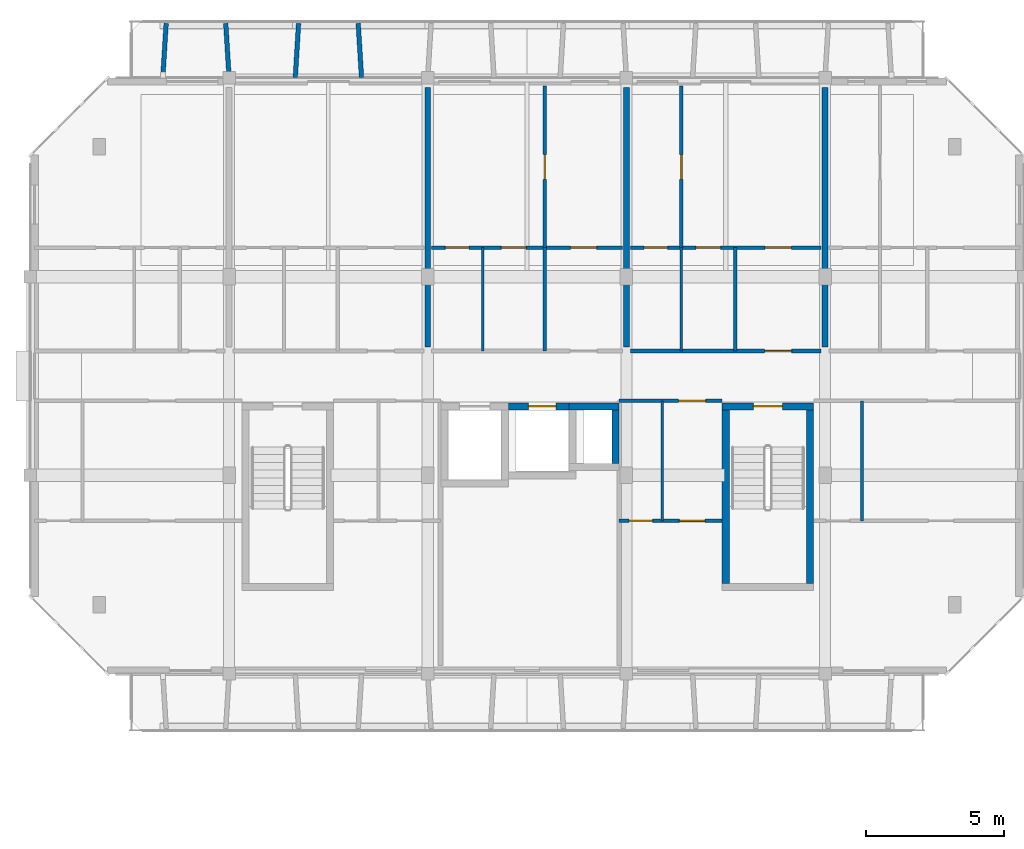
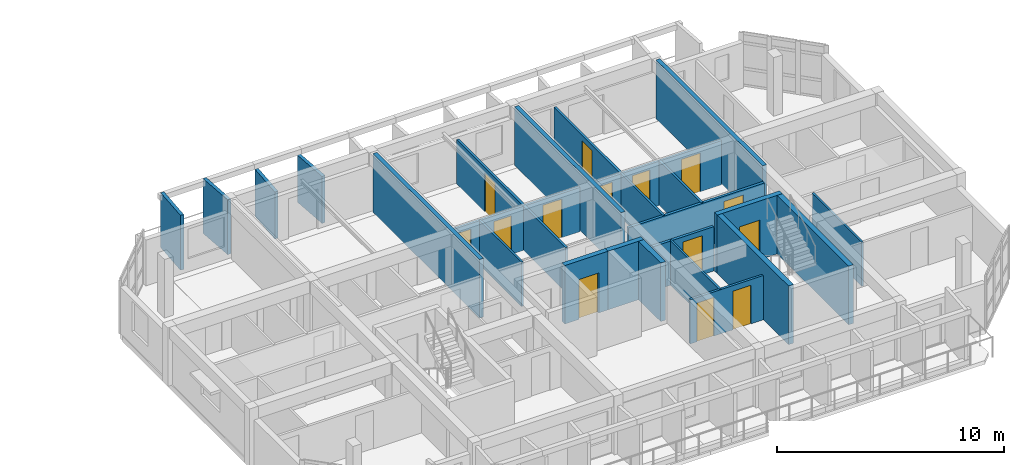
# One storey, part 20 of 30: 26 walls, 14 doors, 14 openings.
"""IFC4 building model written with IfcOpenShell, lengths in metres."""

from ifc_helpers import new_model, si_unit, direction, frame, frame_2d, origin, place, context, subcontext, project, spatial, rectangle, extrude, material, layer, layer_set, type_object, element, fill, save


model = new_model("IFC4")

# Units and contexts
model_context = context("Model", 3, precision=1e-05, world=origin(), true_north=direction((0.0, 1.0)))
body_context = subcontext(model_context, "Body", "Model", "MODEL_VIEW")
ifc_project = project(units=[si_unit("LENGTHUNIT", "METRE"), si_unit("AREAUNIT", "SQUARE_METRE"), si_unit("VOLUMEUNIT", "CUBIC_METRE"), si_unit("PLANEANGLEUNIT", "RADIAN"), si_unit("MASSUNIT", "GRAM", prefix="KILO")], contexts=[model_context])

# Site, building, storey
site_placement = place(None, origin())
site = spatial("IfcSite", under=ifc_project, at=site_placement, CompositionType="ELEMENT")
building_placement = place(site_placement, origin())
building = spatial("IfcBuilding", under=site, at=building_placement, Name="Ochrevale Crest", CompositionType="ELEMENT")
storey_placement = place(building_placement, frame((0.0, 0.0, 33.89990234375)))
storey = spatial("IfcBuildingStorey", under=building, at=storey_placement, Name="L10", CompositionType="ELEMENT", Elevation=33.89990234375)

# Wall, opening, door
ifc_material_1 = material(Name="Gypsum plasterboard", Category="gypsum")
ifc_layer_1 = layer(ifc_material_1, 0.139892578125)
ifc_layer_set_1 = layer_set([ifc_layer_1], Name="Gypsum plasterboard")
wall_type_1 = type_object("IfcWallType", Name="WL-COR-140", PredefinedType="PARTITIONING", material=ifc_layer_set_1)
wall_1_placement = place(storey_placement, frame((151.340087890625, 83.699951171875, 0.0), z_axis=(0.0, 0.0, 1.0), x_axis=(1.0, 0.0, 0.0)))
wall_1 = element("IfcWall", 1, at=wall_1_placement, inside=storey, type_object=wall_type_1, Name="Apartment D-L10-U4 corridor wall", PredefinedType="PARTITIONING", context=body_context, shape_type="SweptSolid", body=[
    extrude(rectangle(XDim=6.919921875, YDim=0.139892578125, at=frame_2d((3.4599609375, 0.0))), origin(), (0.0, 0.0, 1.0), 2.380126953125),
])
opening_1_placement = place(wall_1_placement, frame((4.8701171875, 0.0, 0.0)))
opening_1 = element("IfcOpeningElement", 2, at=opening_1_placement, cuts=wall_1, Name="Opening FD01", PredefinedType="OPENING", context=body_context, shape_type="SweptSolid", body=[
    extrude(rectangle(XDim=0.97998046875, YDim=2.10009765625, at=frame_2d((0.489990234375, 1.050048828125))), frame((0.0, 0.080078125, 0.0), z_axis=(0.0, -1.0, 0.0), x_axis=(1.0, 0.0, 0.0)), (0.0, 0.0, 1.0), 0.159912109375),
])
ifc_material_2 = material(Name="Solid-core FSC hardwood", Category="wood")
door_type_1 = type_object("IfcDoorType", Name="DR-APT-950", OperationType="NOTDEFINED", PredefinedType="DOOR", material=ifc_material_2)
door_1_placement = place(opening_1_placement, origin())
door_1 = element("IfcDoor", 3, at=door_1_placement, inside=storey, type_object=door_type_1, Name="Apartment D-L10-U4 entrance door", OperationType="SINGLE_SWING_LEFT", OverallHeight=2.10009765625, OverallWidth=0.97998046875, PredefinedType="DOOR", context=body_context, shape_type="SweptSolid", body=[
    extrude(rectangle(XDim=0.97998046875, YDim=2.10009765625, at=frame_2d((0.489990234375, 1.050048828125))), frame((0.0, 0.02490234375, 0.0), z_axis=(0.0, -1.0, 0.0), x_axis=(1.0, 0.0, 0.0)), (0.0, 0.0, 1.0), 0.050048828125),
])
fill(opening_1, door_1)

wall_2_placement = place(storey_placement, frame((150.93994140625, 81.89990234375, 0.0), z_axis=(0.0, 0.0, 1.0), x_axis=(1.0, 0.0, 0.0)))
wall_2 = element("IfcWall", 4, at=wall_2_placement, inside=storey, type_object=wall_type_1, Name="Suite D-L10-ME corridor wall", PredefinedType="PARTITIONING", context=body_context, shape_type="SweptSolid", body=[
    extrude(rectangle(XDim=3.719970703125, YDim=0.139892578125, at=frame_2d((1.85986328125, 0.0))), origin(), (0.0, 0.0, 1.0), 2.380126953125),
])
opening_2_placement = place(wall_2_placement, frame((2.151123046875, 0.0, 0.0)))
opening_2 = element("IfcOpeningElement", 5, at=opening_2_placement, cuts=wall_2, Name="Opening FD01", PredefinedType="OPENING", context=body_context, shape_type="SweptSolid", body=[
    extrude(rectangle(XDim=0.97998046875, YDim=2.10009765625, at=frame_2d((0.489990234375, 1.050048828125))), frame((0.0, 0.080078125, 0.0), z_axis=(0.0, -1.0, 0.0), x_axis=(1.0, 0.0, 0.0)), (0.0, 0.0, 1.0), 0.159912109375),
])
door_2_placement = place(opening_2_placement, origin())
door_2 = element("IfcDoor", 6, at=door_2_placement, inside=storey, type_object=door_type_1, Name="Suite D-L10-ME entrance door", OperationType="SINGLE_SWING_LEFT", OverallHeight=2.10009765625, OverallWidth=0.97998046875, PredefinedType="DOOR", context=body_context, shape_type="SweptSolid", body=[
    extrude(rectangle(XDim=0.97998046875, YDim=2.10009765625, at=frame_2d((0.489990234375, 1.050048828125))), frame((0.0, 0.02490234375, 0.0), z_axis=(0.0, -1.0, 0.0), x_axis=(1.0, 0.0, 0.0)), (0.0, 0.0, 1.0), 0.050048828125),
])
fill(opening_2, door_2)

ifc_material_3 = material(Name="Precast concrete C50/60", Category="concrete")
ifc_layer_2 = layer(ifc_material_3, 0.2548828125)
ifc_layer_set_2 = layer_set([ifc_layer_2], Name="Precast concrete C50/60")
wall_type_2 = type_object("IfcWallType", Name="WL-CORE-255", PredefinedType="SHEAR", material=ifc_layer_set_2)
wall_3_placement = place(storey_placement, frame((154.672607421875, 81.699951171875, 0.0), z_axis=(0.0, 0.0, 1.0), x_axis=(1.0, 0.0, 0.0)))
wall_3 = element("IfcWall", 7, at=wall_3_placement, inside=storey, type_object=wall_type_2, Name="Block D L10 Stair 2 precast core shear wall N", PredefinedType="SHEAR", context=body_context, shape_type="SweptSolid", body=[
    extrude(rectangle(XDim=3.304931640625, YDim=0.2548828125, at=frame_2d((1.65234375, 0.0))), origin(), (0.0, 0.0, 1.0), 3.150146484375),
])
opening_3_placement = place(wall_3_placement, frame((1.12744140625, 0.0, 0.0)))
opening_3 = element("IfcOpeningElement", 8, at=opening_3_placement, cuts=wall_3, Name="Opening FD03", PredefinedType="OPENING", context=body_context, shape_type="SweptSolid", body=[
    extrude(rectangle(XDim=1.050048828125, YDim=2.1201171875, at=frame_2d((0.52490234375, 1.06005859375))), frame((0.0, 0.137451171875, 0.0), z_axis=(0.0, -1.0, 0.0), x_axis=(1.0, 0.0, 0.0)), (0.0, 0.0, 1.0), 0.27490234375),
])
door_type_2 = type_object("IfcDoorType", Name="DR-ST-1050", OperationType="NOTDEFINED", PredefinedType="DOOR", material=ifc_material_2)
door_3_placement = place(opening_3_placement, origin())
door_3 = element("IfcDoor", 9, at=door_3_placement, inside=storey, type_object=door_type_2, Name="Block D L10 fire stair 2 door", OperationType="SINGLE_SWING_LEFT", OverallHeight=2.1201171875, OverallWidth=1.050048828125, PredefinedType="DOOR", context=body_context, shape_type="SweptSolid", body=[
    extrude(rectangle(XDim=1.050048828125, YDim=2.1201171875, at=frame_2d((0.52490234375, 1.06005859375))), frame((0.0, 0.02490234375, 0.0), z_axis=(0.0, -1.0, 0.0), x_axis=(1.0, 0.0, 0.0)), (0.0, 0.0, 1.0), 0.050048828125),
])
fill(opening_3, door_3)

# Walls
for number, where, z_axis, x_axis, name in (
    (10, (154.800048828125, 75.277587890625, 0.0), (0.0, 0.0, 1.0), (0.0, 1.0, 0.0), "Block D L10 Stair 2 precast core shear wall W"),
    (11, (157.85009765625, 75.277587890625, 0.0), (0.0, 0.0, 1.0), (0.0, 1.0, 0.0), "Block D L10 Stair 2 precast core shear wall E"),
):
    element("IfcWall", number, at=place(storey_placement, frame(where, z_axis=z_axis, x_axis=x_axis)), inside=storey, type_object=wall_type_2, Name=name, PredefinedType="SHEAR", context=body_context, shape_type="SweptSolid", body=[
        extrude(rectangle(XDim=6.294921875, YDim=0.2548828125, at=frame_2d((3.1474609375, 0.0))), origin(), (0.0, 0.0, 1.0), 3.150146484375),
    ])

# Wall, opening, door
wall_4_placement = place(storey_placement, frame((146.922607421875, 81.699951171875, 0.0), z_axis=(0.0, 0.0, 1.0), x_axis=(1.0, 0.0, 0.0)))
wall_4 = element("IfcWall", 12, at=wall_4_placement, inside=storey, type_object=wall_type_2, Name="Block D L10 Lift 2 precast shaft shear wall N", PredefinedType="SHEAR", context=body_context, shape_type="SweptSolid", body=[
    extrude(rectangle(XDim=2.454833984375, YDim=0.2548828125, at=frame_2d((1.2275390625, 0.0))), origin(), (0.0, 0.0, 1.0), 3.150146484375),
])
opening_4_placement = place(wall_4_placement, frame((0.7275390625, 0.0, 0.0)))
opening_4 = element("IfcOpeningElement", 13, at=opening_4_placement, cuts=wall_4, Name="Opening LD02", PredefinedType="OPENING", context=body_context, shape_type="SweptSolid", body=[
    extrude(rectangle(XDim=1.0, YDim=2.14990234375, at=frame_2d((0.5, 1.074951171875))), frame((0.0, 0.137451171875, 0.0), z_axis=(0.0, -1.0, 0.0), x_axis=(1.0, 0.0, 0.0)), (0.0, 0.0, 1.0), 0.27490234375),
])
door_type_3 = type_object("IfcDoorType", Name="DR-LIFT-1000", OperationType="NOTDEFINED", PredefinedType="DOOR", material=ifc_material_2)
door_4_placement = place(opening_4_placement, origin())
door_4 = element("IfcDoor", 14, at=door_4_placement, inside=storey, type_object=door_type_3, Name="Lift LP-D2 L10 sliding landing door", OperationType="SLIDING_TO_RIGHT", OverallHeight=2.14990234375, OverallWidth=1.0, PredefinedType="DOOR", context=body_context, shape_type="SweptSolid", body=[
    extrude(rectangle(XDim=1.0, YDim=2.14990234375, at=frame_2d((0.5, 1.074951171875))), frame((0.0, 0.02490234375, 0.0), z_axis=(0.0, -1.0, 0.0), x_axis=(1.0, 0.0, 0.0)), (0.0, 0.0, 1.0), 0.050048828125),
])
fill(opening_4, door_4)

# Walls
wall_5_placement = place(storey_placement, frame((149.12255859375, 81.699951171875, 0.0), z_axis=(0.0, 0.0, 1.0), x_axis=(1.0, 0.0, 0.0)))
element("IfcWall", 15, at=wall_5_placement, inside=storey, type_object=wall_type_2, Name="Block D L10 services riser shaft core wall N", PredefinedType="SHEAR", context=body_context, shape_type="SweptSolid", body=[
    extrude(rectangle(XDim=1.804931640625, YDim=0.2548828125, at=frame_2d((0.90234375, 0.0))), origin(), (0.0, 0.0, 1.0), 3.150146484375),
])
wall_6_placement = place(storey_placement, frame((150.800048828125, 79.62744140625, 0.0), z_axis=(0.0, 0.0, 1.0), x_axis=(0.0, 1.0, 0.0)))
element("IfcWall", 16, at=wall_6_placement, inside=storey, type_object=wall_type_2, Name="Block D L10 services riser shaft core wall E", PredefinedType="SHEAR", context=body_context, shape_type="SweptSolid", body=[
    extrude(rectangle(XDim=1.945068359375, YDim=0.2548828125, at=frame_2d((0.97265625, 0.0))), origin(), (0.0, 0.0, 1.0), 3.150146484375),
])
ifc_material_4 = material(Name="Precast concrete C40/50", Category="concrete")
ifc_layer_3 = layer(ifc_material_4, 0.1650390625)
ifc_layer_set_3 = layer_set([ifc_layer_3], Name="Precast concrete C40/50")
wall_type_3 = type_object("IfcWallType", Name="WL-HC-CHEEK-165", PredefinedType="ELEMENTEDWALL", material=ifc_layer_set_3)
for number, where, z_axis, x_axis, name in (
    (17, (134.39990234375, 93.6201171875, 0.0), (0.0, 0.0, 1.0), (0.061170732449, 0.998127317276, 0.0), "Block D L10 N precast honeycomb cheek 1"),
    (18, (136.800048828125, 93.6201171875, 0.0), (0.0, 0.0, 1.0), (-0.061170732449, 0.998127317276, 0.0), "Block D L10 N precast honeycomb cheek 2"),
):
    element("IfcWall", number, at=place(storey_placement, frame(where, z_axis=z_axis, x_axis=x_axis)), inside=storey, type_object=wall_type_3, Name=name, PredefinedType="ELEMENTEDWALL", context=body_context, shape_type="SweptSolid", body=[
        extrude(rectangle(XDim=1.963623046875, YDim=0.1650390625, at=frame_2d((0.98193359375, 0.0))), origin(), (0.0, 0.0, 1.0), 2.9501953125),
    ])
for number, where, z_axis, x_axis, name in (
    (19, (139.199951171875, 93.6201171875, 0.0), (0.0, 0.0, 1.0), (0.061170732449, 0.998127317276, 0.0), "Block D L10 N precast honeycomb cheek 3"),
    (20, (141.60009765625, 93.6201171875, 0.0), (0.0, 0.0, 1.0), (-0.061170732449, 0.998127317276, 0.0), "Block D L10 N precast honeycomb cheek 4"),
):
    element("IfcWall", number, at=place(storey_placement, frame(where, z_axis=z_axis, x_axis=x_axis)), inside=storey, type_object=wall_type_3, Name=name, PredefinedType="ELEMENTEDWALL", context=body_context, shape_type="SweptSolid", body=[
        extrude(rectangle(XDim=1.963623046875, YDim=0.1650390625, at=frame_2d((0.98193359375, 0.0))), origin(), (0.0, 0.0, 1.0), 2.530029296875),
    ])
ifc_layer_4 = layer(ifc_material_1, 0.1201171875)
ifc_layer_set_4 = layer_set([ifc_layer_4], Name="Gypsum plasterboard")
wall_type_4 = type_object("IfcWallType", Name="WL-PART-120", PredefinedType="PARTITIONING", material=ifc_layer_set_4)
wall_7_placement = place(storey_placement, frame((148.239990234375, 83.699951171875, 0.0), z_axis=(0.0, 0.0, 1.0), x_axis=(0.0, 1.0, 0.0)))
element("IfcWall", 21, at=wall_7_placement, inside=storey, type_object=wall_type_4, Name="Apartment D-L10-U3 kitchen-foyer wall", PredefinedType="PARTITIONING", context=body_context, shape_type="SweptSolid", body=[
    extrude(rectangle(XDim=3.75, YDim=0.1201171875, at=frame_2d((1.875, 0.0))), origin(), (0.0, 0.0, 1.0), 2.380126953125),
])

# Wall, openings, doors
wall_8_placement = place(storey_placement, frame((144.139892578125, 87.449951171875, 0.0), z_axis=(0.0, 0.0, 1.0), x_axis=(1.0, 0.0, 0.0)))
wall_8 = element("IfcWall", 22, at=wall_8_placement, inside=storey, type_object=wall_type_4, Name="Apartment D-L10-U3 central partition", PredefinedType="PARTITIONING", context=body_context, shape_type="SweptSolid", body=[
    extrude(rectangle(XDim=6.920166015625, YDim=0.1201171875, at=frame_2d((3.4599609375, 0.0))), origin(), (0.0, 0.0, 1.0), 2.380126953125),
])
opening_5_placement = place(wall_8_placement, frame((0.5, 0.0, 0.0)))
opening_5 = element("IfcOpeningElement", 23, at=opening_5_placement, cuts=wall_8, Name="Opening ID01", PredefinedType="OPENING", context=body_context, shape_type="SweptSolid", body=[
    extrude(rectangle(XDim=0.85009765625, YDim=2.080078125, at=frame_2d((0.425048828125, 1.0400390625))), frame((0.0, 0.070068359375, 0.0), z_axis=(0.0, -1.0, 0.0), x_axis=(1.0, 0.0, 0.0)), (0.0, 0.0, 1.0), 0.14013671875),
])
opening_6_placement = place(wall_8_placement, frame((3.4248046875, 0.0, 0.0), z_axis=(0.0, 0.0, 1.0), x_axis=(-1.0, 0.0, 0.0)))
opening_6 = element("IfcOpeningElement", 24, at=opening_6_placement, cuts=wall_8, Name="Opening ID02", PredefinedType="OPENING", context=body_context, shape_type="SweptSolid", body=[
    extrude(rectangle(XDim=0.89990234375, YDim=2.080078125, at=frame_2d((0.449951171875, 1.0400390625))), frame((0.0, 0.070068359375, 0.0), z_axis=(0.0, -1.0, 0.0), x_axis=(1.0, 0.0, 0.0)), (0.0, 0.0, 1.0), 0.14013671875),
])
opening_7_placement = place(wall_8_placement, frame((5.034912109375, 0.0, 0.0)))
opening_7 = element("IfcOpeningElement", 25, at=opening_7_placement, cuts=wall_8, Name="Opening ID06", PredefinedType="OPENING", context=body_context, shape_type="SweptSolid", body=[
    extrude(rectangle(XDim=0.949951171875, YDim=2.080078125, at=frame_2d((0.47509765625, 1.0400390625))), frame((0.0, 0.070068359375, 0.0), z_axis=(0.0, -1.0, 0.0), x_axis=(1.0, 0.0, 0.0)), (0.0, 0.0, 1.0), 0.14013671875),
])
door_type_4 = type_object("IfcDoorType", Name="DR-INT-900", OperationType="NOTDEFINED", PredefinedType="DOOR", material=ifc_material_2)
door_5_placement = place(opening_6_placement, origin())
door_5 = element("IfcDoor", 26, at=door_5_placement, inside=storey, type_object=door_type_4, Name="Apartment D-L10-U3 Kitchen door", OperationType="SINGLE_SWING_RIGHT", OverallHeight=2.080078125, OverallWidth=0.89990234375, PredefinedType="DOOR", context=body_context, shape_type="SweptSolid", body=[
    extrude(rectangle(XDim=0.89990234375, YDim=2.080078125, at=frame_2d((0.449951171875, 1.0400390625))), frame((0.0, 0.02490234375, 0.0), z_axis=(0.0, -1.0, 0.0), x_axis=(1.0, 0.0, 0.0)), (0.0, 0.0, 1.0), 0.050048828125),
])
fill(opening_6, door_5)
door_type_5 = type_object("IfcDoorType", Name="DR-INT-950", OperationType="NOTDEFINED", PredefinedType="DOOR", material=ifc_material_2)
door_6_placement = place(opening_7_placement, origin())
door_6 = element("IfcDoor", 27, at=door_6_placement, inside=storey, type_object=door_type_5, Name="Apartment D-L10-U3 Living Foyer door", OperationType="SINGLE_SWING_LEFT", OverallHeight=2.080078125, OverallWidth=0.949951171875, PredefinedType="DOOR", context=body_context, shape_type="SweptSolid", body=[
    extrude(rectangle(XDim=0.949951171875, YDim=2.080078125, at=frame_2d((0.47509765625, 1.0400390625))), frame((0.0, 0.02490234375, 0.0), z_axis=(0.0, -1.0, 0.0), x_axis=(1.0, 0.0, 0.0)), (0.0, 0.0, 1.0), 0.050048828125),
])
fill(opening_7, door_6)
door_type_6 = type_object("IfcDoorType", Name="DR-WC-850", OperationType="NOTDEFINED", PredefinedType="DOOR", material=ifc_material_2)
door_7_placement = place(opening_5_placement, origin())
door_7 = element("IfcDoor", 28, at=door_7_placement, inside=storey, type_object=door_type_6, Name="Apartment D-L10-U3 Bathroom door", OperationType="SINGLE_SWING_LEFT", OverallHeight=2.080078125, OverallWidth=0.85009765625, PredefinedType="DOOR", context=body_context, shape_type="SweptSolid", body=[
    extrude(rectangle(XDim=0.85009765625, YDim=2.080078125, at=frame_2d((0.425048828125, 1.0400390625))), frame((0.0, 0.02490234375, 0.0), z_axis=(0.0, -1.0, 0.0), x_axis=(1.0, 0.0, 0.0)), (0.0, 0.0, 1.0), 0.050048828125),
])
fill(opening_5, door_7)

# Wall, opening, door
wall_9_placement = place(storey_placement, frame((148.239990234375, 87.449951171875, 0.0), z_axis=(0.0, 0.0, 1.0), x_axis=(0.0, 1.0, 0.0)))
wall_9 = element("IfcWall", 29, at=wall_9_placement, inside=storey, type_object=wall_type_4, Name="Apartment D-L10-U3 bedroom partition", PredefinedType="PARTITIONING", context=body_context, shape_type="SweptSolid", body=[
    extrude(rectangle(XDim=5.85009765625, YDim=0.1201171875, at=frame_2d((2.925048828125, 0.0))), origin(), (0.0, 0.0, 1.0), 2.380126953125),
])
opening_8_placement = place(wall_9_placement, frame((3.375, 0.0, 0.0), z_axis=(0.0, 0.0, 1.0), x_axis=(-1.0, 0.0, 0.0)))
opening_8 = element("IfcOpeningElement", 30, at=opening_8_placement, cuts=wall_9, Name="Opening ID02", PredefinedType="OPENING", context=body_context, shape_type="SweptSolid", body=[
    extrude(rectangle(XDim=0.89990234375, YDim=2.080078125, at=frame_2d((0.449951171875, 1.0400390625))), frame((0.0, 0.070068359375, 0.0), z_axis=(0.0, -1.0, 0.0), x_axis=(1.0, 0.0, 0.0)), (0.0, 0.0, 1.0), 0.14013671875),
])
door_8_placement = place(opening_8_placement, origin())
door_8 = element("IfcDoor", 31, at=door_8_placement, inside=storey, type_object=door_type_4, Name="Apartment D-L10-U3 Double Bedroom door", OperationType="SINGLE_SWING_RIGHT", OverallHeight=2.080078125, OverallWidth=0.89990234375, PredefinedType="DOOR", context=body_context, shape_type="SweptSolid", body=[
    extrude(rectangle(XDim=0.89990234375, YDim=2.080078125, at=frame_2d((0.449951171875, 1.0400390625))), frame((0.0, 0.02490234375, 0.0), z_axis=(0.0, -1.0, 0.0), x_axis=(1.0, 0.0, 0.0)), (0.0, 0.0, 1.0), 0.050048828125),
])
fill(opening_8, door_8)

# Wall
wall_10_placement = place(storey_placement, frame((155.139892578125, 83.699951171875, 0.0), z_axis=(0.0, 0.0, 1.0), x_axis=(0.0, 1.0, 0.0)))
element("IfcWall", 32, at=wall_10_placement, inside=storey, type_object=wall_type_4, Name="Apartment D-L10-U4 kitchen-foyer wall", PredefinedType="PARTITIONING", context=body_context, shape_type="SweptSolid", body=[
    extrude(rectangle(XDim=3.75, YDim=0.1201171875, at=frame_2d((1.875, 0.0))), origin(), (0.0, 0.0, 1.0), 2.380126953125),
])

# Wall, openings, doors
wall_11_placement = place(storey_placement, frame((151.340087890625, 87.449951171875, 0.0), z_axis=(0.0, 0.0, 1.0), x_axis=(1.0, 0.0, 0.0)))
wall_11 = element("IfcWall", 33, at=wall_11_placement, inside=storey, type_object=wall_type_4, Name="Apartment D-L10-U4 central partition", PredefinedType="PARTITIONING", context=body_context, shape_type="SweptSolid", body=[
    extrude(rectangle(XDim=6.919921875, YDim=0.1201171875, at=frame_2d((3.4599609375, 0.0))), origin(), (0.0, 0.0, 1.0), 2.380126953125),
])
opening_9_placement = place(wall_11_placement, frame((1.35009765625, 0.0, 0.0), z_axis=(0.0, 0.0, 1.0), x_axis=(-1.0, 0.0, 0.0)))
opening_9 = element("IfcOpeningElement", 34, at=opening_9_placement, cuts=wall_11, Name="Opening ID01", PredefinedType="OPENING", context=body_context, shape_type="SweptSolid", body=[
    extrude(rectangle(XDim=0.85009765625, YDim=2.080078125, at=frame_2d((0.425048828125, 1.0400390625))), frame((0.0, 0.070068359375, 0.0), z_axis=(0.0, -1.0, 0.0), x_axis=(1.0, 0.0, 0.0)), (0.0, 0.0, 1.0), 0.14013671875),
])
opening_10_placement = place(wall_11_placement, frame((2.375, 0.0, 0.0)))
opening_10 = element("IfcOpeningElement", 35, at=opening_10_placement, cuts=wall_11, Name="Opening ID02", PredefinedType="OPENING", context=body_context, shape_type="SweptSolid", body=[
    extrude(rectangle(XDim=0.89990234375, YDim=2.080078125, at=frame_2d((0.449951171875, 1.0400390625))), frame((0.0, 0.070068359375, 0.0), z_axis=(0.0, -1.0, 0.0), x_axis=(1.0, 0.0, 0.0)), (0.0, 0.0, 1.0), 0.14013671875),
])
opening_11_placement = place(wall_11_placement, frame((5.8349609375, 0.0, 0.0), z_axis=(0.0, 0.0, 1.0), x_axis=(-1.0, 0.0, 0.0)))
opening_11 = element("IfcOpeningElement", 36, at=opening_11_placement, cuts=wall_11, Name="Opening ID06", PredefinedType="OPENING", context=body_context, shape_type="SweptSolid", body=[
    extrude(rectangle(XDim=0.949951171875, YDim=2.080078125, at=frame_2d((0.47509765625, 1.0400390625))), frame((0.0, 0.070068359375, 0.0), z_axis=(0.0, -1.0, 0.0), x_axis=(1.0, 0.0, 0.0)), (0.0, 0.0, 1.0), 0.14013671875),
])
door_9_placement = place(opening_10_placement, origin())
door_9 = element("IfcDoor", 37, at=door_9_placement, inside=storey, type_object=door_type_4, Name="Apartment D-L10-U4 Kitchen door", OperationType="SINGLE_SWING_LEFT", OverallHeight=2.080078125, OverallWidth=0.89990234375, PredefinedType="DOOR", context=body_context, shape_type="SweptSolid", body=[
    extrude(rectangle(XDim=0.89990234375, YDim=2.080078125, at=frame_2d((0.449951171875, 1.0400390625))), frame((0.0, 0.02490234375, 0.0), z_axis=(0.0, -1.0, 0.0), x_axis=(1.0, 0.0, 0.0)), (0.0, 0.0, 1.0), 0.050048828125),
])
fill(opening_10, door_9)
door_10_placement = place(opening_11_placement, origin())
door_10 = element("IfcDoor", 38, at=door_10_placement, inside=storey, type_object=door_type_5, Name="Apartment D-L10-U4 Living Foyer door", OperationType="SINGLE_SWING_RIGHT", OverallHeight=2.080078125, OverallWidth=0.949951171875, PredefinedType="DOOR", context=body_context, shape_type="SweptSolid", body=[
    extrude(rectangle(XDim=0.949951171875, YDim=2.080078125, at=frame_2d((0.47509765625, 1.0400390625))), frame((0.0, 0.02490234375, 0.0), z_axis=(0.0, -1.0, 0.0), x_axis=(1.0, 0.0, 0.0)), (0.0, 0.0, 1.0), 0.050048828125),
])
fill(opening_11, door_10)
door_11_placement = place(opening_9_placement, origin())
door_11 = element("IfcDoor", 39, at=door_11_placement, inside=storey, type_object=door_type_6, Name="Apartment D-L10-U4 Bathroom door", OperationType="SINGLE_SWING_RIGHT", OverallHeight=2.080078125, OverallWidth=0.85009765625, PredefinedType="DOOR", context=body_context, shape_type="SweptSolid", body=[
    extrude(rectangle(XDim=0.85009765625, YDim=2.080078125, at=frame_2d((0.425048828125, 1.0400390625))), frame((0.0, 0.02490234375, 0.0), z_axis=(0.0, -1.0, 0.0), x_axis=(1.0, 0.0, 0.0)), (0.0, 0.0, 1.0), 0.050048828125),
])
fill(opening_9, door_11)

# Wall, opening, door
wall_12_placement = place(storey_placement, frame((153.18994140625, 87.449951171875, 0.0), z_axis=(0.0, 0.0, 1.0), x_axis=(0.0, 1.0, 0.0)))
wall_12 = element("IfcWall", 40, at=wall_12_placement, inside=storey, type_object=wall_type_4, Name="Apartment D-L10-U4 bedroom partition", PredefinedType="PARTITIONING", context=body_context, shape_type="SweptSolid", body=[
    extrude(rectangle(XDim=5.85009765625, YDim=0.1201171875, at=frame_2d((2.925048828125, 0.0))), origin(), (0.0, 0.0, 1.0), 2.380126953125),
])
opening_12_placement = place(wall_12_placement, frame((2.47509765625, 0.0, 0.0)))
opening_12 = element("IfcOpeningElement", 41, at=opening_12_placement, cuts=wall_12, Name="Opening ID02", PredefinedType="OPENING", context=body_context, shape_type="SweptSolid", body=[
    extrude(rectangle(XDim=0.89990234375, YDim=2.080078125, at=frame_2d((0.449951171875, 1.0400390625))), frame((0.0, 0.070068359375, 0.0), z_axis=(0.0, -1.0, 0.0), x_axis=(1.0, 0.0, 0.0)), (0.0, 0.0, 1.0), 0.14013671875),
])
door_12_placement = place(opening_12_placement, origin())
door_12 = element("IfcDoor", 42, at=door_12_placement, inside=storey, type_object=door_type_4, Name="Apartment D-L10-U4 Master Bedroom door", OperationType="SINGLE_SWING_LEFT", OverallHeight=2.080078125, OverallWidth=0.89990234375, PredefinedType="DOOR", context=body_context, shape_type="SweptSolid", body=[
    extrude(rectangle(XDim=0.89990234375, YDim=2.080078125, at=frame_2d((0.449951171875, 1.0400390625))), frame((0.0, 0.02490234375, 0.0), z_axis=(0.0, -1.0, 0.0), x_axis=(1.0, 0.0, 0.0)), (0.0, 0.0, 1.0), 0.050048828125),
])
fill(opening_12, door_12)

# Wall, openings, doors
wall_13_placement = place(storey_placement, frame((150.93994140625, 77.550048828125, 0.0), z_axis=(0.0, 0.0, 1.0), x_axis=(1.0, 0.0, 0.0)))
wall_13 = element("IfcWall", 43, at=wall_13_placement, inside=storey, type_object=wall_type_4, Name="Suite D-L10-ME internal wall", PredefinedType="PARTITIONING", context=body_context, shape_type="SweptSolid", body=[
    extrude(rectangle(XDim=3.719970703125, YDim=0.1201171875, at=frame_2d((1.85986328125, 0.0))), origin(), (0.0, 0.0, 1.0), 2.380126953125),
])
opening_13_placement = place(wall_13_placement, frame((1.206298828125, 0.0, 0.0), z_axis=(0.0, 0.0, 1.0), x_axis=(-1.0, 0.0, 0.0)))
opening_13 = element("IfcOpeningElement", 44, at=opening_13_placement, cuts=wall_13, Name="Opening ID01", PredefinedType="OPENING", context=body_context, shape_type="SweptSolid", body=[
    extrude(rectangle(XDim=0.85009765625, YDim=2.080078125, at=frame_2d((0.425048828125, 1.0400390625))), frame((0.0, 0.070068359375, 0.0), z_axis=(0.0, -1.0, 0.0), x_axis=(1.0, 0.0, 0.0)), (0.0, 0.0, 1.0), 0.14013671875),
])
opening_14_placement = place(wall_13_placement, frame((2.18115234375, 0.0, 0.0)))
opening_14 = element("IfcOpeningElement", 45, at=opening_14_placement, cuts=wall_13, Name="Opening ID04", PredefinedType="OPENING", context=body_context, shape_type="SweptSolid", body=[
    extrude(rectangle(XDim=0.919921875, YDim=2.080078125, at=frame_2d((0.4599609375, 1.0400390625))), frame((0.0, 0.070068359375, 0.0), z_axis=(0.0, -1.0, 0.0), x_axis=(1.0, 0.0, 0.0)), (0.0, 0.0, 1.0), 0.14013671875),
])
door_type_7 = type_object("IfcDoorType", Name="DR-INT-920", OperationType="NOTDEFINED", PredefinedType="DOOR", material=ifc_material_2)
door_13_placement = place(opening_14_placement, origin())
door_13 = element("IfcDoor", 46, at=door_13_placement, inside=storey, type_object=door_type_7, Name="Suite D-L10-ME Garden Alcove Studio door", OperationType="SINGLE_SWING_LEFT", OverallHeight=2.080078125, OverallWidth=0.919921875, PredefinedType="DOOR", context=body_context, shape_type="SweptSolid", body=[
    extrude(rectangle(XDim=0.919921875, YDim=2.080078125, at=frame_2d((0.4599609375, 1.0400390625))), frame((0.0, 0.02490234375, 0.0), z_axis=(0.0, -1.0, 0.0), x_axis=(1.0, 0.0, 0.0)), (0.0, 0.0, 1.0), 0.050048828125),
])
fill(opening_14, door_13)
door_14_placement = place(opening_13_placement, origin())
door_14 = element("IfcDoor", 47, at=door_14_placement, inside=storey, type_object=door_type_6, Name="Suite D-L10-ME Bathroom door", OperationType="SINGLE_SWING_RIGHT", OverallHeight=2.080078125, OverallWidth=0.85009765625, PredefinedType="DOOR", context=body_context, shape_type="SweptSolid", body=[
    extrude(rectangle(XDim=0.85009765625, YDim=2.080078125, at=frame_2d((0.425048828125, 1.0400390625))), frame((0.0, 0.02490234375, 0.0), z_axis=(0.0, -1.0, 0.0), x_axis=(1.0, 0.0, 0.0)), (0.0, 0.0, 1.0), 0.050048828125),
])
fill(opening_13, door_14)

# Walls
ifc_layer_5 = layer(ifc_material_4, 0.2099609375)
ifc_layer_set_5 = layer_set([ifc_layer_5], Name="Precast concrete C40/50")
wall_type_5 = type_object("IfcWallType", Name="WL-SHEAR-210", PredefinedType="SHEAR", material=ifc_layer_set_5)
for number, where, z_axis, x_axis, name in (
    (48, (144.0, 83.85009765625, 0.0), (0.0, 0.0, 1.0), (0.0, 1.0, 0.0), "Block D L10 load-bearing precast cross-wall X=144.0"),
    (49, (151.199951171875, 83.85009765625, 0.0), (0.0, 0.0, 1.0), (0.0, 1.0, 0.0), "Block D L10 load-bearing precast cross-wall X=151.2"),
    (50, (158.39990234375, 83.85009765625, 0.0), (0.0, 0.0, 1.0), (0.0, 1.0, 0.0), "Block D L10 load-bearing precast cross-wall X=158.4"),
):
    element("IfcWall", number, at=place(storey_placement, frame(where, z_axis=z_axis, x_axis=x_axis)), inside=storey, type_object=wall_type_5, Name=name, PredefinedType="SHEAR", context=body_context, shape_type="SweptSolid", body=[
        extrude(rectangle(XDim=9.39990234375, YDim=0.2099609375, at=frame_2d((4.699951171875, 0.0))), origin(), (0.0, 0.0, 1.0), 3.150146484375),
    ])
ifc_layer_6 = layer(ifc_material_1, 0.10009765625)
ifc_layer_set_6 = layer_set([ifc_layer_6], Name="Gypsum plasterboard")
wall_type_6 = type_object("IfcWallType", Name="WL-WET-100", PredefinedType="PARTITIONING", material=ifc_layer_set_6)
for number, where, z_axis, x_axis, name in (
    (51, (145.989990234375, 83.699951171875, 0.0), (0.0, 0.0, 1.0), (0.0, 1.0, 0.0), "Apartment D-L10-U3 bath-kitchen wall"),
    (52, (153.18994140625, 83.699951171875, 0.0), (0.0, 0.0, 1.0), (0.0, 1.0, 0.0), "Apartment D-L10-U4 bath-kitchen wall"),
):
    element("IfcWall", number, at=place(storey_placement, frame(where, z_axis=z_axis, x_axis=x_axis)), inside=storey, type_object=wall_type_6, Name=name, PredefinedType="PARTITIONING", context=body_context, shape_type="SweptSolid", body=[
        extrude(rectangle(XDim=3.75, YDim=0.10009765625, at=frame_2d((1.875, 0.0))), origin(), (0.0, 0.0, 1.0), 2.380126953125),
    ])
for number, where, z_axis, x_axis, name in (
    (53, (152.50244140625, 77.550048828125, 0.0), (0.0, 0.0, 1.0), (0.0, 1.0, 0.0), "Suite D-L10-ME bathroom divider"),
    (54, (159.739990234375, 77.550048828125, 0.0), (0.0, 0.0, 1.0), (0.0, 1.0, 0.0), "Suite D-L10-CE bathroom divider"),
):
    element("IfcWall", number, at=place(storey_placement, frame(where, z_axis=z_axis, x_axis=x_axis)), inside=storey, type_object=wall_type_6, Name=name, PredefinedType="PARTITIONING", context=body_context, shape_type="SweptSolid", body=[
        extrude(rectangle(XDim=4.349853515625, YDim=0.10009765625, at=frame_2d((2.1748046875, 0.0))), origin(), (0.0, 0.0, 1.0), 2.380126953125),
    ])

save(model, "model.ifc")
